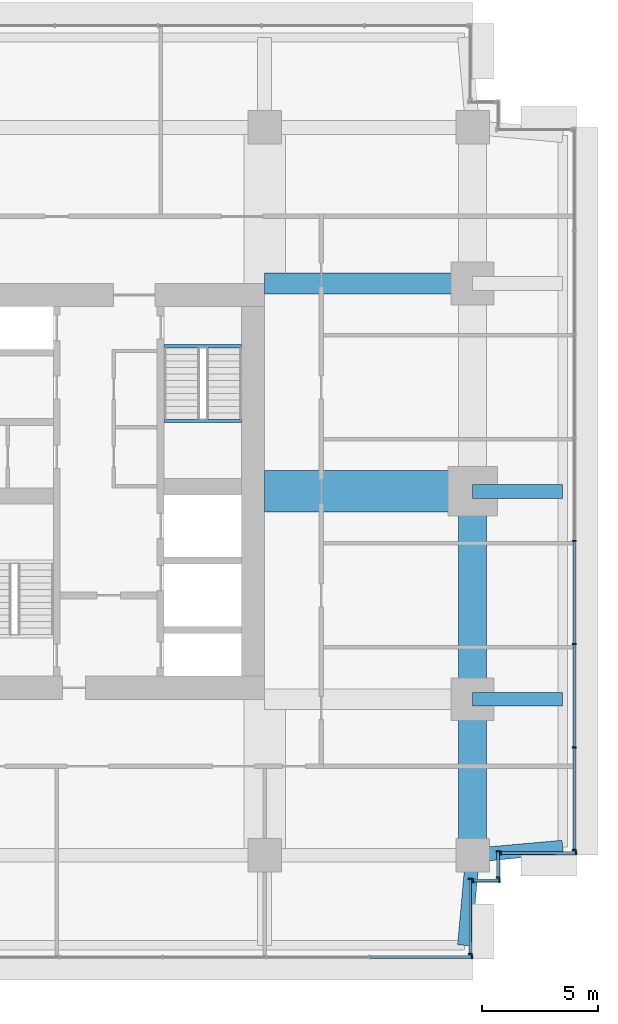
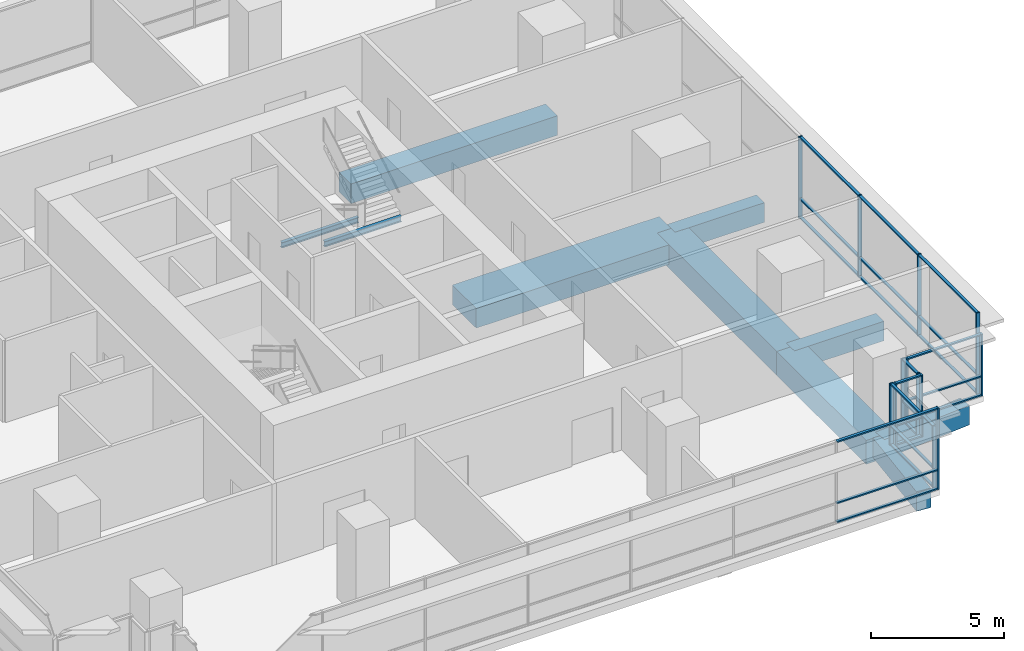
# One storey, part 5 of 14: 37 members, 10 beams, 6 elements without a shape of their own.
"""IFC4 building model written with IfcOpenShell, lengths in metres."""

from ifc_helpers import new_model, si_unit, direction, frame, origin, origin_2d, place, context, subcontext, project, spatial, rectangle, i_section, extrude, material, layer, layer_set, material_profile, profile_set, type_object, element, aggregate, save


model = new_model("IFC4")

# Units and contexts
model_context = context("Model", 3, precision=1e-05, world=origin(), true_north=direction((0.0, 1.0)))
body_context = subcontext(model_context, "Body", "Model", "MODEL_VIEW")
ifc_project = project(units=[si_unit("LENGTHUNIT", "METRE"), si_unit("AREAUNIT", "SQUARE_METRE"), si_unit("VOLUMEUNIT", "CUBIC_METRE"), si_unit("PLANEANGLEUNIT", "RADIAN"), si_unit("MASSUNIT", "GRAM", prefix="KILO")], contexts=[model_context])

# Site, building, storey
site_placement = place(None, origin())
site = spatial("IfcSite", under=ifc_project, at=site_placement, CompositionType="ELEMENT")
building_placement = place(site_placement, origin())
building = spatial("IfcBuilding", under=site, at=building_placement, Name="Namib Vertical Campus", CompositionType="ELEMENT")
storey_placement = place(building_placement, frame((0.0, 0.0, 269.0)))
storey = spatial("IfcBuildingStorey", under=building, at=storey_placement, Name="L63", CompositionType="ELEMENT", Elevation=269.0)

# Beams
ifc_material_1 = material(Name="Concrete C40/50", Category="concrete")
ifc_material_profile_1 = material_profile(ifc_material_1, rectangle(XDim=0.60009765625, YDim=0.89990234375, at=origin_2d()))
ifc_profile_set_1 = profile_set([ifc_material_profile_1], Name="Concrete C40/50")
beam_type_1 = type_object("IfcBeamType", Name="Cantilever girder RC 600x900", PredefinedType="BEAM", material=ifc_profile_set_1)
for number, where, z_axis, x_axis, name in (
    (1, (36.0, 4.5, -0.699951171875), (-0.089411326146, -0.995994786511, 0.0), (0.995994786511, -0.089411326146, 0.0), "Beam B3 L63"),
    (2, (36.0, 4.5, -0.699951171875), (0.995994786511, 0.089411326146, 0.0), (-0.089411326146, 0.995994786511, 0.0), "Beam B3 L63"),
):
    element("IfcBeam", number, at=place(storey_placement, frame(where, z_axis=z_axis, x_axis=x_axis)), inside=storey, type_object=beam_type_1, Name=name, PredefinedType="BEAM", context=body_context, shape_type="SweptSolid", body=[
        extrude(rectangle(XDim=0.60009765625, YDim=0.89990234375, at=origin_2d()), origin(), (0.0, 0.0, 1.0), 3.91552734375),
    ])
for number, where, z_axis, x_axis, name in (
    (3, (36.0, 11.25, -0.699951171875), (1.0, 0.0, 0.0), (0.0, 1.0, 0.0), "Beam B3 L63"),
    (4, (36.0, 20.25, -0.699951171875), (1.0, 0.0, 0.0), (0.0, 1.0, 0.0), "Beam B3 L63"),
):
    element("IfcBeam", number, at=place(storey_placement, frame(where, z_axis=z_axis, x_axis=x_axis)), inside=storey, type_object=beam_type_1, Name=name, PredefinedType="BEAM", context=body_context, shape_type="SweptSolid", body=[
        extrude(rectangle(XDim=0.60009765625, YDim=0.89990234375, at=origin_2d()), origin(), (0.0, 0.0, 1.0), 3.89990234375),
    ])

# Curtain wall, member
ifc_material_2 = material(Name="Black aluminium curtain wall", Category="aluminium")
ifc_layer = layer(ifc_material_2, 0.199951171875)
ifc_layer_set = layer_set([ifc_layer], Name="Lounge bench curtain wall CW-LB")
curtain_wall_type = type_object("IfcCurtainWallType", Name="Lounge bench curtain wall CW-LB", PredefinedType="USERDEFINED", material=ifc_layer_set)
curtain_wall_1_placement = place(storey_placement, origin())
curtain_wall_1 = element("IfcCurtainWall", 5, at=curtain_wall_1_placement, inside=storey, type_object=curtain_wall_type, Name="Curtain wall CW-LB L63 F01-1", ObjectType="CURTAIN WALL", PredefinedType="USERDEFINED")
ifc_material_3 = material(Name="Black anodised aluminium", Category="aluminium")
ifc_material_profile_2 = material_profile(ifc_material_3, rectangle(XDim=0.06005859375, YDim=0.159912109375, at=origin_2d()))
ifc_profile_set_2 = profile_set([ifc_material_profile_2], Name="Black anodised aluminium")
member_type_1 = type_object("IfcMemberType", Name="Curtain wall mullion 60x160", PredefinedType="MULLION", material=ifc_profile_set_2)
member_1_placement = place(storey_placement, frame((35.969970703125, 0.10009765625, 0.0), z_axis=(0.0, 0.0, 1.0), x_axis=(1.0, 0.0, 0.0)))
member_1 = element("IfcMember", 6, at=member_1_placement, type_object=member_type_1, Name="CW-LB mullion 8", PredefinedType="MULLION", context=body_context, shape_type="SweptSolid", body=[
    extrude(rectangle(XDim=0.06005859375, YDim=0.159912109375, at=origin_2d()), origin(), (0.0, 0.0, 1.0), 3.75),
])

# Curtain wall, members
curtain_wall_2_placement = place(storey_placement, origin())
curtain_wall_2 = element("IfcCurtainWall", 7, at=curtain_wall_2_placement, inside=storey, type_object=curtain_wall_type, Name="Curtain wall CW-LB L63 F02-1", ObjectType="CURTAIN WALL", PredefinedType="USERDEFINED")
member_2_placement = place(storey_placement, frame((35.89990234375, 0.22998046875, 0.0), z_axis=(0.0, 0.0, 1.0), x_axis=(0.0, 1.0, 0.0)))
member_2 = element("IfcMember", 8, at=member_2_placement, type_object=member_type_1, Name="CW-LB mullion 1", PredefinedType="MULLION", context=body_context, shape_type="SweptSolid", body=[
    extrude(rectangle(XDim=0.06005859375, YDim=0.159912109375, at=origin_2d()), origin(), (0.0, 0.0, 1.0), 2.85009765625),
])
member_3_placement = place(storey_placement, frame((35.89990234375, 3.469970703125, 0.0), z_axis=(0.0, 0.0, 1.0), x_axis=(0.0, 1.0, 0.0)))
member_3 = element("IfcMember", 9, at=member_3_placement, type_object=member_type_1, Name="CW-LB mullion 2", PredefinedType="MULLION", context=body_context, shape_type="SweptSolid", body=[
    extrude(rectangle(XDim=0.06005859375, YDim=0.159912109375, at=origin_2d()), origin(), (0.0, 0.0, 1.0), 2.85009765625),
])

curtain_wall_3_placement = place(storey_placement, origin())
curtain_wall_3 = element("IfcCurtainWall", 10, at=curtain_wall_3_placement, inside=storey, type_object=curtain_wall_type, Name="Curtain wall CW-LB L63 F03-1", ObjectType="CURTAIN WALL", PredefinedType="USERDEFINED")
member_4_placement = place(storey_placement, frame((36.030029296875, 3.39990234375, 0.0), z_axis=(0.0, 0.0, 1.0), x_axis=(1.0, 0.0, 0.0)))
member_4 = element("IfcMember", 11, at=member_4_placement, type_object=member_type_1, Name="CW-LB mullion 1", PredefinedType="MULLION", context=body_context, shape_type="SweptSolid", body=[
    extrude(rectangle(XDim=0.06005859375, YDim=0.159912109375, at=origin_2d()), origin(), (0.0, 0.0, 1.0), 2.85009765625),
])
member_5_placement = place(storey_placement, frame((37.169921875, 3.39990234375, 0.0), z_axis=(0.0, 0.0, 1.0), x_axis=(1.0, 0.0, 0.0)))
member_5 = element("IfcMember", 12, at=member_5_placement, type_object=member_type_1, Name="CW-LB mullion 2", PredefinedType="MULLION", context=body_context, shape_type="SweptSolid", body=[
    extrude(rectangle(XDim=0.06005859375, YDim=0.159912109375, at=origin_2d()), origin(), (0.0, 0.0, 1.0), 2.85009765625),
])

curtain_wall_4_placement = place(storey_placement, origin())
curtain_wall_4 = element("IfcCurtainWall", 13, at=curtain_wall_4_placement, inside=storey, type_object=curtain_wall_type, Name="Curtain wall CW-LB L63 F04-1", ObjectType="CURTAIN WALL", PredefinedType="USERDEFINED")
member_6_placement = place(storey_placement, frame((37.10009765625, 3.530029296875, 0.0), z_axis=(0.0, 0.0, 1.0), x_axis=(0.0, 1.0, 0.0)))
member_6 = element("IfcMember", 14, at=member_6_placement, type_object=member_type_1, Name="CW-LB mullion 1", PredefinedType="MULLION", context=body_context, shape_type="SweptSolid", body=[
    extrude(rectangle(XDim=0.06005859375, YDim=0.159912109375, at=origin_2d()), origin(), (0.0, 0.0, 1.0), 2.85009765625),
])
member_7_placement = place(storey_placement, frame((37.10009765625, 4.669921875, 0.0), z_axis=(0.0, 0.0, 1.0), x_axis=(0.0, 1.0, 0.0)))
member_7 = element("IfcMember", 15, at=member_7_placement, type_object=member_type_1, Name="CW-LB mullion 2", PredefinedType="MULLION", context=body_context, shape_type="SweptSolid", body=[
    extrude(rectangle(XDim=0.06005859375, YDim=0.159912109375, at=origin_2d()), origin(), (0.0, 0.0, 1.0), 2.85009765625),
])

curtain_wall_5_placement = place(storey_placement, origin())
curtain_wall_5 = element("IfcCurtainWall", 16, at=curtain_wall_5_placement, inside=storey, type_object=curtain_wall_type, Name="Curtain wall CW-LB L63 F05-1", ObjectType="CURTAIN WALL", PredefinedType="USERDEFINED")
member_8_placement = place(storey_placement, frame((37.22998046875, 4.60009765625, 0.0), z_axis=(0.0, 0.0, 1.0), x_axis=(1.0, 0.0, 0.0)))
member_8 = element("IfcMember", 17, at=member_8_placement, type_object=member_type_1, Name="CW-LB mullion 1", PredefinedType="MULLION", context=body_context, shape_type="SweptSolid", body=[
    extrude(rectangle(XDim=0.06005859375, YDim=0.159912109375, at=origin_2d()), origin(), (0.0, 0.0, 1.0), 2.85009765625),
])
member_9_placement = place(storey_placement, frame((40.469970703125, 4.60009765625, 0.0), z_axis=(0.0, 0.0, 1.0), x_axis=(1.0, 0.0, 0.0)))
member_9 = element("IfcMember", 18, at=member_9_placement, type_object=member_type_1, Name="CW-LB mullion 2", PredefinedType="MULLION", context=body_context, shape_type="SweptSolid", body=[
    extrude(rectangle(XDim=0.06005859375, YDim=0.159912109375, at=origin_2d()), origin(), (0.0, 0.0, 1.0), 2.85009765625),
])

curtain_wall_6_placement = place(storey_placement, origin())
curtain_wall_6 = element("IfcCurtainWall", 19, at=curtain_wall_6_placement, inside=storey, type_object=curtain_wall_type, Name="Curtain wall CW-LB L63 F06-1", ObjectType="CURTAIN WALL", PredefinedType="USERDEFINED")
member_10_placement = place(storey_placement, frame((40.39990234375, 4.72998046875, 0.0), z_axis=(0.0, 0.0, 1.0), x_axis=(0.0, 1.0, 0.0)))
member_10 = element("IfcMember", 20, at=member_10_placement, type_object=member_type_1, Name="CW-LB mullion 1", PredefinedType="MULLION", context=body_context, shape_type="SweptSolid", body=[
    extrude(rectangle(XDim=0.06005859375, YDim=0.159912109375, at=origin_2d()), origin(), (0.0, 0.0, 1.0), 3.75),
])
member_11_placement = place(storey_placement, frame((40.39990234375, 9.17138671875, 0.0), z_axis=(0.0, 0.0, 1.0), x_axis=(0.0, 1.0, 0.0)))
member_11 = element("IfcMember", 21, at=member_11_placement, type_object=member_type_1, Name="CW-LB mullion 2", PredefinedType="MULLION", context=body_context, shape_type="SweptSolid", body=[
    extrude(rectangle(XDim=0.06005859375, YDim=0.159912109375, at=origin_2d()), origin(), (0.0, 0.0, 1.0), 3.75),
])
member_12_placement = place(storey_placement, frame((40.39990234375, 13.642822265625, 0.0), z_axis=(0.0, 0.0, 1.0), x_axis=(0.0, 1.0, 0.0)))
member_12 = element("IfcMember", 22, at=member_12_placement, type_object=member_type_1, Name="CW-LB mullion 3", PredefinedType="MULLION", context=body_context, shape_type="SweptSolid", body=[
    extrude(rectangle(XDim=0.06005859375, YDim=0.159912109375, at=origin_2d()), origin(), (0.0, 0.0, 1.0), 3.75),
])
member_13_placement = place(storey_placement, frame((40.39990234375, 18.1142578125, 0.0), z_axis=(0.0, 0.0, 1.0), x_axis=(0.0, 1.0, 0.0)))
member_13 = element("IfcMember", 23, at=member_13_placement, type_object=member_type_1, Name="CW-LB mullion 4", PredefinedType="MULLION", context=body_context, shape_type="SweptSolid", body=[
    extrude(rectangle(XDim=0.06005859375, YDim=0.159912109375, at=origin_2d()), origin(), (0.0, 0.0, 1.0), 3.75),
])

# Member
ifc_material_4 = material(Name="Black anodised aluminium", Category="aluminium")
ifc_material_profile_3 = material_profile(ifc_material_4, rectangle(XDim=0.06005859375, YDim=0.1201171875, at=origin_2d()))
ifc_profile_set_3 = profile_set([ifc_material_profile_3], Name="Black anodised aluminium")
member_type_2 = type_object("IfcMemberType", Name="Curtain wall transom 60x120", PredefinedType="USERDEFINED", material=ifc_profile_set_3)
member_14_placement = place(storey_placement, frame((31.55859375, 0.10009765625, 0.030029296875), z_axis=(1.0, 0.0, 0.0), x_axis=(0.0, 0.0, 1.0)))
member_14 = element("IfcMember", 24, at=member_14_placement, type_object=member_type_2, Name="CW-LB transom 7.1", ObjectType="TRANSOM", PredefinedType="USERDEFINED", context=body_context, shape_type="SweptSolid", body=[
    extrude(rectangle(XDim=0.06005859375, YDim=0.1201171875, at=origin_2d()), origin(), (0.0, 0.0, 1.0), 4.38134765625),
])

member_15_placement = place(storey_placement, frame((31.55859375, 0.10009765625, 0.89990234375), z_axis=(1.0, 0.0, 0.0), x_axis=(0.0, 0.0, 1.0)))
member_15 = element("IfcMember", 25, at=member_15_placement, type_object=member_type_2, Name="CW-LB transom 7.2", ObjectType="TRANSOM", PredefinedType="USERDEFINED", context=body_context, shape_type="SweptSolid", body=[
    extrude(rectangle(XDim=0.06005859375, YDim=0.1201171875, at=origin_2d()), origin(), (0.0, 0.0, 1.0), 4.38134765625),
])

member_16_placement = place(storey_placement, frame((31.55859375, 0.10009765625, 3.719970703125), z_axis=(1.0, 0.0, 0.0), x_axis=(0.0, 0.0, 1.0)))
member_16 = element("IfcMember", 26, at=member_16_placement, type_object=member_type_2, Name="CW-LB transom 7.3", ObjectType="TRANSOM", PredefinedType="USERDEFINED", context=body_context, shape_type="SweptSolid", body=[
    extrude(rectangle(XDim=0.06005859375, YDim=0.1201171875, at=origin_2d()), origin(), (0.0, 0.0, 1.0), 4.38134765625),
])

aggregate(curtain_wall_1, [member_1, member_14, member_15, member_16])

member_17_placement = place(storey_placement, frame((35.89990234375, 0.260009765625, 0.030029296875), z_axis=(0.0, 1.0, 0.0), x_axis=(0.0, 0.0, 1.0)))
member_17 = element("IfcMember", 27, at=member_17_placement, type_object=member_type_2, Name="CW-LB transom 1.1", ObjectType="TRANSOM", PredefinedType="USERDEFINED", context=body_context, shape_type="SweptSolid", body=[
    extrude(rectangle(XDim=0.06005859375, YDim=0.1201171875, at=origin_2d()), origin(), (0.0, 0.0, 1.0), 3.179931640625),
])

member_18_placement = place(storey_placement, frame((35.89990234375, 0.260009765625, 0.89990234375), z_axis=(0.0, 1.0, 0.0), x_axis=(0.0, 0.0, 1.0)))
member_18 = element("IfcMember", 28, at=member_18_placement, type_object=member_type_2, Name="CW-LB transom 1.2", ObjectType="TRANSOM", PredefinedType="USERDEFINED", context=body_context, shape_type="SweptSolid", body=[
    extrude(rectangle(XDim=0.06005859375, YDim=0.1201171875, at=origin_2d()), origin(), (0.0, 0.0, 1.0), 3.179931640625),
])

member_19_placement = place(storey_placement, frame((35.89990234375, 0.260009765625, 2.820068359375), z_axis=(0.0, 1.0, 0.0), x_axis=(0.0, 0.0, 1.0)))
member_19 = element("IfcMember", 29, at=member_19_placement, type_object=member_type_2, Name="CW-LB transom 1.3", ObjectType="TRANSOM", PredefinedType="USERDEFINED", context=body_context, shape_type="SweptSolid", body=[
    extrude(rectangle(XDim=0.06005859375, YDim=0.1201171875, at=origin_2d()), origin(), (0.0, 0.0, 1.0), 3.179931640625),
])

aggregate(curtain_wall_2, [member_2, member_3, member_17, member_18, member_19])

member_20_placement = place(storey_placement, frame((36.06005859375, 3.39990234375, 0.030029296875), z_axis=(1.0, 0.0, 0.0), x_axis=(0.0, 0.0, 1.0)))
member_20 = element("IfcMember", 30, at=member_20_placement, type_object=member_type_2, Name="CW-LB transom 1.1", ObjectType="TRANSOM", PredefinedType="USERDEFINED", context=body_context, shape_type="SweptSolid", body=[
    extrude(rectangle(XDim=0.06005859375, YDim=0.1201171875, at=origin_2d()), origin(), (0.0, 0.0, 1.0), 1.079833984375),
])

member_21_placement = place(storey_placement, frame((36.06005859375, 3.39990234375, 0.89990234375), z_axis=(1.0, 0.0, 0.0), x_axis=(0.0, 0.0, 1.0)))
member_21 = element("IfcMember", 31, at=member_21_placement, type_object=member_type_2, Name="CW-LB transom 1.2", ObjectType="TRANSOM", PredefinedType="USERDEFINED", context=body_context, shape_type="SweptSolid", body=[
    extrude(rectangle(XDim=0.06005859375, YDim=0.1201171875, at=origin_2d()), origin(), (0.0, 0.0, 1.0), 1.079833984375),
])

member_22_placement = place(storey_placement, frame((36.06005859375, 3.39990234375, 2.820068359375), z_axis=(1.0, 0.0, 0.0), x_axis=(0.0, 0.0, 1.0)))
member_22 = element("IfcMember", 32, at=member_22_placement, type_object=member_type_2, Name="CW-LB transom 1.3", ObjectType="TRANSOM", PredefinedType="USERDEFINED", context=body_context, shape_type="SweptSolid", body=[
    extrude(rectangle(XDim=0.06005859375, YDim=0.1201171875, at=origin_2d()), origin(), (0.0, 0.0, 1.0), 1.079833984375),
])

aggregate(curtain_wall_3, [member_4, member_5, member_20, member_21, member_22])

member_23_placement = place(storey_placement, frame((37.10009765625, 3.56005859375, 0.030029296875), z_axis=(0.0, 1.0, 0.0), x_axis=(0.0, 0.0, 1.0)))
member_23 = element("IfcMember", 33, at=member_23_placement, type_object=member_type_2, Name="CW-LB transom 1.1", ObjectType="TRANSOM", PredefinedType="USERDEFINED", context=body_context, shape_type="SweptSolid", body=[
    extrude(rectangle(XDim=0.06005859375, YDim=0.1201171875, at=origin_2d()), origin(), (0.0, 0.0, 1.0), 1.079833984375),
])

member_24_placement = place(storey_placement, frame((37.10009765625, 3.56005859375, 0.89990234375), z_axis=(0.0, 1.0, 0.0), x_axis=(0.0, 0.0, 1.0)))
member_24 = element("IfcMember", 34, at=member_24_placement, type_object=member_type_2, Name="CW-LB transom 1.2", ObjectType="TRANSOM", PredefinedType="USERDEFINED", context=body_context, shape_type="SweptSolid", body=[
    extrude(rectangle(XDim=0.06005859375, YDim=0.1201171875, at=origin_2d()), origin(), (0.0, 0.0, 1.0), 1.079833984375),
])

member_25_placement = place(storey_placement, frame((37.10009765625, 3.56005859375, 2.820068359375), z_axis=(0.0, 1.0, 0.0), x_axis=(0.0, 0.0, 1.0)))
member_25 = element("IfcMember", 35, at=member_25_placement, type_object=member_type_2, Name="CW-LB transom 1.3", ObjectType="TRANSOM", PredefinedType="USERDEFINED", context=body_context, shape_type="SweptSolid", body=[
    extrude(rectangle(XDim=0.06005859375, YDim=0.1201171875, at=origin_2d()), origin(), (0.0, 0.0, 1.0), 1.079833984375),
])

aggregate(curtain_wall_4, [member_6, member_7, member_23, member_24, member_25])

member_26_placement = place(storey_placement, frame((37.260009765625, 4.60009765625, 0.030029296875), z_axis=(1.0, 0.0, 0.0), x_axis=(0.0, 0.0, 1.0)))
member_26 = element("IfcMember", 36, at=member_26_placement, type_object=member_type_2, Name="CW-LB transom 1.1", ObjectType="TRANSOM", PredefinedType="USERDEFINED", context=body_context, shape_type="SweptSolid", body=[
    extrude(rectangle(XDim=0.06005859375, YDim=0.1201171875, at=origin_2d()), origin(), (0.0, 0.0, 1.0), 3.179931640625),
])

member_27_placement = place(storey_placement, frame((37.260009765625, 4.60009765625, 0.89990234375), z_axis=(1.0, 0.0, 0.0), x_axis=(0.0, 0.0, 1.0)))
member_27 = element("IfcMember", 37, at=member_27_placement, type_object=member_type_2, Name="CW-LB transom 1.2", ObjectType="TRANSOM", PredefinedType="USERDEFINED", context=body_context, shape_type="SweptSolid", body=[
    extrude(rectangle(XDim=0.06005859375, YDim=0.1201171875, at=origin_2d()), origin(), (0.0, 0.0, 1.0), 3.179931640625),
])

member_28_placement = place(storey_placement, frame((37.260009765625, 4.60009765625, 2.820068359375), z_axis=(1.0, 0.0, 0.0), x_axis=(0.0, 0.0, 1.0)))
member_28 = element("IfcMember", 38, at=member_28_placement, type_object=member_type_2, Name="CW-LB transom 1.3", ObjectType="TRANSOM", PredefinedType="USERDEFINED", context=body_context, shape_type="SweptSolid", body=[
    extrude(rectangle(XDim=0.06005859375, YDim=0.1201171875, at=origin_2d()), origin(), (0.0, 0.0, 1.0), 3.179931640625),
])

aggregate(curtain_wall_5, [member_8, member_9, member_26, member_27, member_28])

member_29_placement = place(storey_placement, frame((40.39990234375, 4.760009765625, 0.030029296875), z_axis=(0.0, 1.0, 0.0), x_axis=(0.0, 0.0, 1.0)))
member_29 = element("IfcMember", 39, at=member_29_placement, type_object=member_type_2, Name="CW-LB transom 1.1", ObjectType="TRANSOM", PredefinedType="USERDEFINED", context=body_context, shape_type="SweptSolid", body=[
    extrude(rectangle(XDim=0.06005859375, YDim=0.1201171875, at=origin_2d()), origin(), (0.0, 0.0, 1.0), 4.38134765625),
])

member_30_placement = place(storey_placement, frame((40.39990234375, 4.760009765625, 0.89990234375), z_axis=(0.0, 1.0, 0.0), x_axis=(0.0, 0.0, 1.0)))
member_30 = element("IfcMember", 40, at=member_30_placement, type_object=member_type_2, Name="CW-LB transom 1.2", ObjectType="TRANSOM", PredefinedType="USERDEFINED", context=body_context, shape_type="SweptSolid", body=[
    extrude(rectangle(XDim=0.06005859375, YDim=0.1201171875, at=origin_2d()), origin(), (0.0, 0.0, 1.0), 4.38134765625),
])

member_31_placement = place(storey_placement, frame((40.39990234375, 4.760009765625, 3.719970703125), z_axis=(0.0, 1.0, 0.0), x_axis=(0.0, 0.0, 1.0)))
member_31 = element("IfcMember", 41, at=member_31_placement, type_object=member_type_2, Name="CW-LB transom 1.3", ObjectType="TRANSOM", PredefinedType="USERDEFINED", context=body_context, shape_type="SweptSolid", body=[
    extrude(rectangle(XDim=0.06005859375, YDim=0.1201171875, at=origin_2d()), origin(), (0.0, 0.0, 1.0), 4.38134765625),
])

member_32_placement = place(storey_placement, frame((40.39990234375, 9.201416015625, 0.030029296875), z_axis=(0.0, 1.0, 0.0), x_axis=(0.0, 0.0, 1.0)))
member_32 = element("IfcMember", 42, at=member_32_placement, type_object=member_type_2, Name="CW-LB transom 2.1", ObjectType="TRANSOM", PredefinedType="USERDEFINED", context=body_context, shape_type="SweptSolid", body=[
    extrude(rectangle(XDim=0.06005859375, YDim=0.1201171875, at=origin_2d()), origin(), (0.0, 0.0, 1.0), 4.411376953125),
])

member_33_placement = place(storey_placement, frame((40.39990234375, 9.201416015625, 0.89990234375), z_axis=(0.0, 1.0, 0.0), x_axis=(0.0, 0.0, 1.0)))
member_33 = element("IfcMember", 43, at=member_33_placement, type_object=member_type_2, Name="CW-LB transom 2.2", ObjectType="TRANSOM", PredefinedType="USERDEFINED", context=body_context, shape_type="SweptSolid", body=[
    extrude(rectangle(XDim=0.06005859375, YDim=0.1201171875, at=origin_2d()), origin(), (0.0, 0.0, 1.0), 4.411376953125),
])

member_34_placement = place(storey_placement, frame((40.39990234375, 9.201416015625, 3.719970703125), z_axis=(0.0, 1.0, 0.0), x_axis=(0.0, 0.0, 1.0)))
member_34 = element("IfcMember", 44, at=member_34_placement, type_object=member_type_2, Name="CW-LB transom 2.3", ObjectType="TRANSOM", PredefinedType="USERDEFINED", context=body_context, shape_type="SweptSolid", body=[
    extrude(rectangle(XDim=0.06005859375, YDim=0.1201171875, at=origin_2d()), origin(), (0.0, 0.0, 1.0), 4.411376953125),
])

member_35_placement = place(storey_placement, frame((40.39990234375, 13.6728515625, 0.030029296875), z_axis=(0.0, 1.0, 0.0), x_axis=(0.0, 0.0, 1.0)))
member_35 = element("IfcMember", 45, at=member_35_placement, type_object=member_type_2, Name="CW-LB transom 3.1", ObjectType="TRANSOM", PredefinedType="USERDEFINED", context=body_context, shape_type="SweptSolid", body=[
    extrude(rectangle(XDim=0.06005859375, YDim=0.1201171875, at=origin_2d()), origin(), (0.0, 0.0, 1.0), 4.411376953125),
])

member_36_placement = place(storey_placement, frame((40.39990234375, 13.6728515625, 0.89990234375), z_axis=(0.0, 1.0, 0.0), x_axis=(0.0, 0.0, 1.0)))
member_36 = element("IfcMember", 46, at=member_36_placement, type_object=member_type_2, Name="CW-LB transom 3.2", ObjectType="TRANSOM", PredefinedType="USERDEFINED", context=body_context, shape_type="SweptSolid", body=[
    extrude(rectangle(XDim=0.06005859375, YDim=0.1201171875, at=origin_2d()), origin(), (0.0, 0.0, 1.0), 4.411376953125),
])

member_37_placement = place(storey_placement, frame((40.39990234375, 13.6728515625, 3.719970703125), z_axis=(0.0, 1.0, 0.0), x_axis=(0.0, 0.0, 1.0)))
member_37 = element("IfcMember", 47, at=member_37_placement, type_object=member_type_2, Name="CW-LB transom 3.3", ObjectType="TRANSOM", PredefinedType="USERDEFINED", context=body_context, shape_type="SweptSolid", body=[
    extrude(rectangle(XDim=0.06005859375, YDim=0.1201171875, at=origin_2d()), origin(), (0.0, 0.0, 1.0), 4.411376953125),
])

aggregate(curtain_wall_6, [member_10, member_11, member_12, member_13, member_29, member_30, member_31, member_32, member_33, member_34, member_35, member_36, member_37])

# Beams
ifc_material_5 = material(Name="Concrete C40/50", Category="concrete")
ifc_material_profile_4 = material_profile(ifc_material_5, rectangle(XDim=0.89990234375, YDim=0.89990234375, at=origin_2d()))
ifc_profile_set_4 = profile_set([ifc_material_profile_4], Name="Concrete C40/50")
beam_type_2 = type_object("IfcBeamType", Name="Face girder RC 900x900", PredefinedType="BEAM", material=ifc_profile_set_4)
beam_1_placement = place(storey_placement, frame((36.0, 29.25, -0.699951171875), z_axis=(-1.0, 0.0, 0.0), x_axis=(0.0, -1.0, 0.0)))
element("IfcBeam", 48, at=beam_1_placement, inside=storey, type_object=beam_type_2, Name="Beam B10 L63", PredefinedType="BEAM", context=body_context, shape_type="SweptSolid", body=[
    extrude(rectangle(XDim=0.89990234375, YDim=0.89990234375, at=origin_2d()), origin(), (0.0, 0.0, 1.0), 9.0),
])
ifc_material_6 = material(Name="Concrete C40/50", Category="concrete")
ifc_material_profile_5 = material_profile(ifc_material_6, rectangle(XDim=1.199951171875, YDim=1.10009765625, at=origin_2d()))
ifc_profile_set_5 = profile_set([ifc_material_profile_5], Name="Concrete C40/50")
beam_type_3 = type_object("IfcBeamType", Name="Face ring beam RC 1200x1100", PredefinedType="BEAM", material=ifc_profile_set_5)
beam_2_placement = place(storey_placement, frame((36.0, 4.5, -0.800048828125), z_axis=(0.0, 1.0, 0.0), x_axis=(-1.0, 0.0, 0.0)))
element("IfcBeam", 49, at=beam_2_placement, inside=storey, type_object=beam_type_3, Name="Beam B11 L63", PredefinedType="BEAM", context=body_context, shape_type="SweptSolid", body=[
    extrude(rectangle(XDim=1.199951171875, YDim=1.10009765625, at=origin_2d()), origin(), (0.0, 0.0, 1.0), 6.75),
])
beam_3_placement = place(storey_placement, frame((36.0, 11.25, -0.800048828125), z_axis=(0.0, 1.0, 0.0), x_axis=(-1.0, 0.0, 0.0)))
element("IfcBeam", 50, at=beam_3_placement, inside=storey, type_object=beam_type_3, Name="Beam B11 L63", PredefinedType="BEAM", context=body_context, shape_type="SweptSolid", body=[
    extrude(rectangle(XDim=1.199951171875, YDim=1.10009765625, at=origin_2d()), origin(), (0.0, 0.0, 1.0), 9.0),
])
ifc_material_7 = material(Name="Steel S355JR", Category="steel")
ifc_material_profile_6 = material_profile(ifc_material_7, i_section(OverallWidth=0.14599609375, OverallDepth=0.25146484375, WebThickness=0.006103515625, FlangeThickness=0.008544921875, FilletRadius=0.007568359375, at=origin_2d()))
ifc_profile_set_6 = profile_set([ifc_material_profile_6], Name="Steel S355JR")
beam_type_4 = type_object("IfcBeamType", Name="Landing trimmer UB 254x146x31", PredefinedType="BEAM", material=ifc_profile_set_6)
for number, where, z_axis, x_axis, name in (
    (51, (22.64990234375, 26.52294921875, -0.125732421875), (1.0, 0.0, 0.0), (0.0, 1.0, 0.0), "Landing trimmer LT1 A-S2 L63 1"),
    (52, (22.64990234375, 23.296875, 1.874267578125), (1.0, 0.0, 0.0), (0.0, 1.0, 0.0), "Landing trimmer LT1 A-S2 L63 2"),
):
    element("IfcBeam", number, at=place(storey_placement, frame(where, z_axis=z_axis, x_axis=x_axis)), inside=storey, type_object=beam_type_4, Name=name, PredefinedType="BEAM", context=body_context, shape_type="SweptSolid", body=[
        extrude(i_section(OverallWidth=0.14599609375, OverallDepth=0.25146484375, WebThickness=0.006103515625, FlangeThickness=0.008544921875, FilletRadius=0.007568359375, at=origin_2d()), origin(), (0.0, 0.0, 1.0), 3.35009765625),
    ])
ifc_material_8 = material(Name="Concrete C40/50", Category="concrete")
ifc_material_profile_7 = material_profile(ifc_material_8, rectangle(XDim=1.800048828125, YDim=0.89990234375, at=origin_2d()))
ifc_profile_set_7 = profile_set([ifc_material_profile_7], Name="Concrete C40/50")
beam_type_5 = type_object("IfcBeamType", Name="Outrigger line girder RC 1800x900", PredefinedType="BEAM", material=ifc_profile_set_7)
beam_4_placement = place(storey_placement, frame((36.0, 20.25, -0.699951171875), z_axis=(-1.0, 0.0, 0.0), x_axis=(0.0, -1.0, 0.0)))
element("IfcBeam", 53, at=beam_4_placement, inside=storey, type_object=beam_type_5, Name="Beam B12 L63", PredefinedType="BEAM", context=body_context, shape_type="SweptSolid", body=[
    extrude(rectangle(XDim=1.800048828125, YDim=0.89990234375, at=origin_2d()), origin(), (0.0, 0.0, 1.0), 9.0),
])

save(model, "model.ifc")
